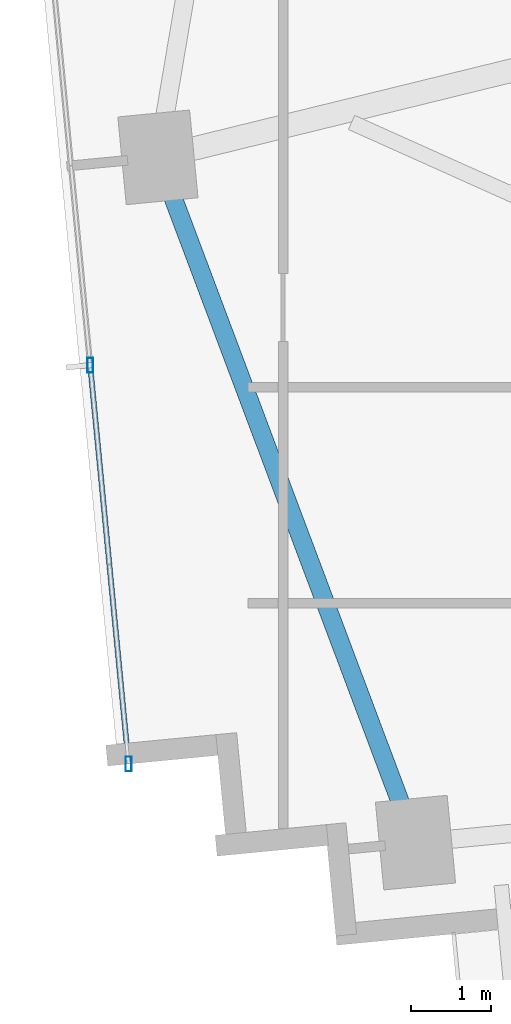
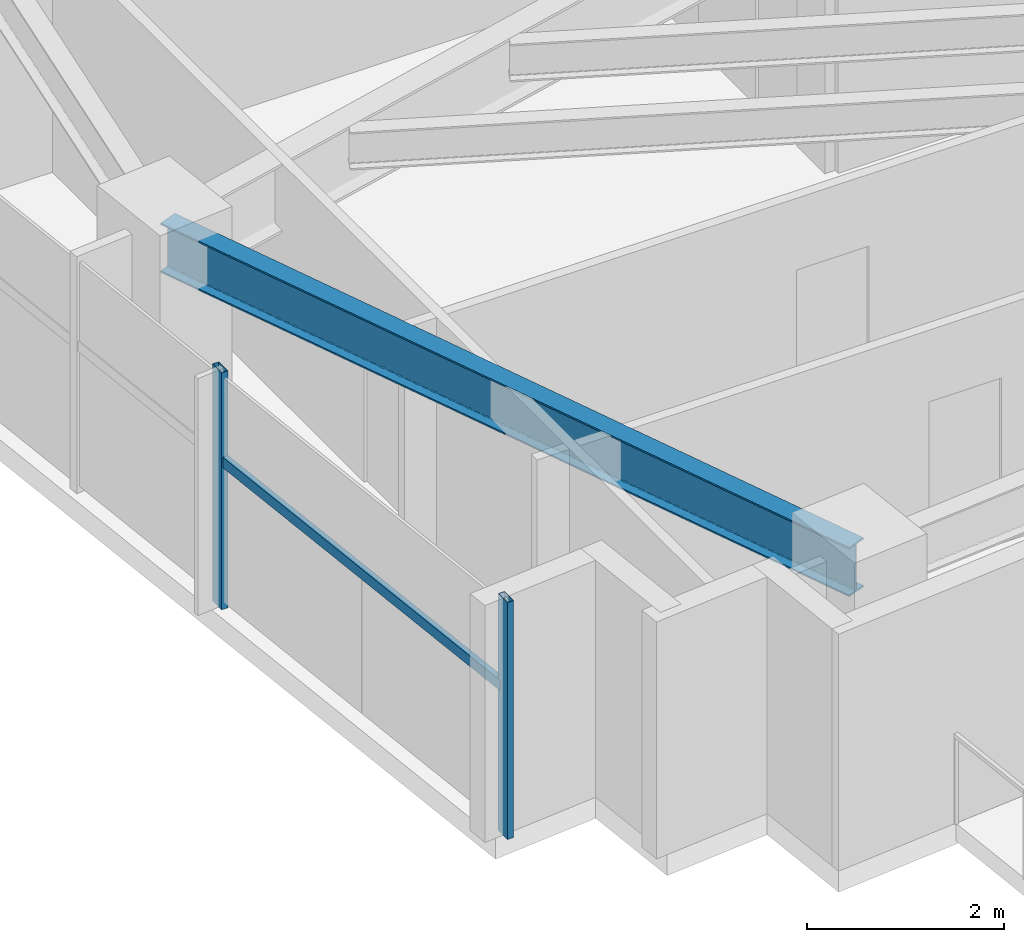
# One storey, part 2 of 27: 3 members, 1 beam, 1 element without a shape of its own.
"""IFC4 building model written with IfcOpenShell, lengths in metres."""

from ifc_helpers import new_model, si_unit, direction, frame, origin, origin_2d, place, context, subcontext, project, spatial, hollow_rectangle, i_section, extrude, source, transform, mapped, material, material_profile, profile_set, type_object, type_shapes, element, aggregate, save


model = new_model("IFC4")

# Units and contexts
model_context = context("Model", 3, precision=1e-05, world=origin(), true_north=direction((0.0, 1.0)))
body_context = subcontext(model_context, "Body", "Model", "MODEL_VIEW")
ifc_project = project(units=[si_unit("LENGTHUNIT", "METRE"), si_unit("AREAUNIT", "SQUARE_METRE"), si_unit("VOLUMEUNIT", "CUBIC_METRE"), si_unit("PLANEANGLEUNIT", "RADIAN"), si_unit("MASSUNIT", "GRAM", prefix="KILO")], contexts=[model_context])

# Site, building, storey
site_placement = place(None, origin())
site = spatial("IfcSite", under=ifc_project, at=site_placement, CompositionType="ELEMENT")
building_placement = place(site_placement, origin())
building = spatial("IfcBuilding", under=site, at=building_placement, Name="Astriad Promenade Condominiums", CompositionType="ELEMENT")
storey_placement = place(building_placement, frame((0.0, 0.0, 109.800048828125)))
storey = spatial("IfcBuildingStorey", under=building, at=storey_placement, Name="L31", CompositionType="ELEMENT", Elevation=109.800048828125)

# Beam
ifc_material_1 = material(Name="Steel ASTM A992 Grade 50", Category="steel")
ifc_material_profile_1 = material_profile(ifc_material_1, i_section(OverallWidth=0.22900390625, OverallDepth=0.612060546875, WebThickness=0.011962890625, FlangeThickness=0.01953125, FilletRadius=0.017822265625, at=origin_2d()), Name="W24X84")
ifc_profile_set_1 = profile_set([ifc_material_profile_1], Name="Steel ASTM A992 Grade 50")
beam_type = type_object("IfcBeamType", Name="STEEL SPANDREL BEAM W24X84", PredefinedType="SPANDREL", material=ifc_profile_set_1)
shared_shape_1 = source(origin(), body_context, "Body", "SweptSolid", [
    extrude(i_section(OverallWidth=0.22900390625, OverallDepth=0.612060546875, WebThickness=0.011962890625, FlangeThickness=0.01953125, FilletRadius=0.017822265625, at=origin_2d()), origin(), (0.0, 0.0, 1.0), 9.055419921875),
])
type_shapes(beam_type, [shared_shape_1])
beam_placement = place(storey_placement, frame((10.765625, 13.523193359375, 2.6337890625), z_axis=(0.351864937141, -0.936050781748, 0.0), x_axis=(0.936050781748, 0.351864937141, 0.0)))
element("IfcBeam", 1, at=beam_placement, inside=storey, type_object=beam_type, Name="Perimeter Spandrel Beam SP-W1-L31", PredefinedType="SPANDREL", context=body_context, shape_type="MappedRepresentation", body=[
    mapped(shared_shape_1, transform((0.0, 0.0, 0.0), scale=1.0)),
])

# Curtain wall, members
ifc_material_2 = material(Name="Anodised aluminium Black Dark Glass Unitised", Category="aluminium")
curtain_wall_type = type_object("IfcCurtainWallType", Name="CW-B2-DARK", PredefinedType="USERDEFINED", material=ifc_material_2)
curtain_wall_placement = place(storey_placement, origin())
curtain_wall = element("IfcCurtainWall", 2, at=curtain_wall_placement, inside=storey, type_object=curtain_wall_type, Name="CW-L31-W", ObjectType="UNITISED_CURTAIN_WALL", PredefinedType="USERDEFINED")
ifc_material_3 = material(Name="Anodised aluminium 6063-T6 Black", Category="aluminium")
ifc_material_profile_2 = material_profile(ifc_material_3, hollow_rectangle(XDim=0.074951171875, YDim=0.18505859375, WallThickness=0.00439453125, at=origin_2d()), Name="ALU-MUL-75X185")
ifc_profile_set_2 = profile_set([ifc_material_profile_2], Name="Anodised aluminium 6063-T6 Black")
member_type_1 = type_object("IfcMemberType", Name="MUL-ALU-MUL-75X185", PredefinedType="MULLION", material=ifc_profile_set_2)
shared_shape_2 = source(origin(), body_context, "Body", "SweptSolid", [
    extrude(hollow_rectangle(XDim=0.074951171875, YDim=0.18505859375, WallThickness=0.00439453125, at=origin_2d()), origin(), (0.0, 0.0, 1.0), 2.93994140625),
])
type_shapes(member_type_1, [shared_shape_2])
member_1_placement = place(storey_placement, frame((10.385498046875, 5.99072265625, 0.0), z_axis=(0.0, 0.0, 1.0), x_axis=(1.0, 0.0, 0.0)))
member_1 = element("IfcMember", 3, at=member_1_placement, type_object=member_type_1, Name="CW-L31-W-MUL-00", PredefinedType="MULLION", context=body_context, shape_type="MappedRepresentation", body=[
    mapped(shared_shape_2, transform((0.0, 0.0, 0.0), scale=1.0)),
])
member_2_placement = place(storey_placement, frame((9.90625, 10.9677734375, 0.0), z_axis=(0.0, 0.0, 1.0), x_axis=(1.0, 0.0, 0.0)))
member_2 = element("IfcMember", 4, at=member_2_placement, type_object=member_type_1, Name="CW-L31-W-MUL-01", PredefinedType="MULLION", context=body_context, shape_type="MappedRepresentation", body=[
    mapped(shared_shape_2, transform((0.0, 0.0, 0.0), scale=1.0)),
])
ifc_material_profile_3 = material_profile(ifc_material_3, hollow_rectangle(XDim=0.06494140625, YDim=0.1298828125, WallThickness=0.00390625, at=origin_2d()), Name="ALU-TRN-65X130")
ifc_profile_set_3 = profile_set([ifc_material_profile_3], Name="Anodised aluminium 6063-T6 Black")
member_type_2 = type_object("IfcMemberType", Name="TRN-ALU-TRN-65X130", PredefinedType="USERDEFINED", material=ifc_profile_set_3)
shared_shape_3 = source(origin(), body_context, "Body", "SweptSolid", [
    extrude(hollow_rectangle(XDim=0.06494140625, YDim=0.1298828125, WallThickness=0.00390625, at=origin_2d()), origin(), (0.0, 0.0, 1.0), 5.0),
])
type_shapes(member_type_2, [shared_shape_3])
member_3_placement = place(storey_placement, frame((10.385498046875, 5.99072265625, 1.82275390625), z_axis=(-0.095848242264, 0.995395958629, 0.0), x_axis=(-0.995395958629, -0.095848242264, 0.0)))
member_3 = element("IfcMember", 5, at=member_3_placement, type_object=member_type_2, Name="CW-L31-W-TRN-00-0", ObjectType="TRANSOM", PredefinedType="USERDEFINED", context=body_context, shape_type="MappedRepresentation", body=[
    mapped(shared_shape_3, transform((0.0, 0.0, 0.0), scale=1.0)),
])
aggregate(curtain_wall, [member_1, member_2, member_3])

save(model, "model.ifc")
